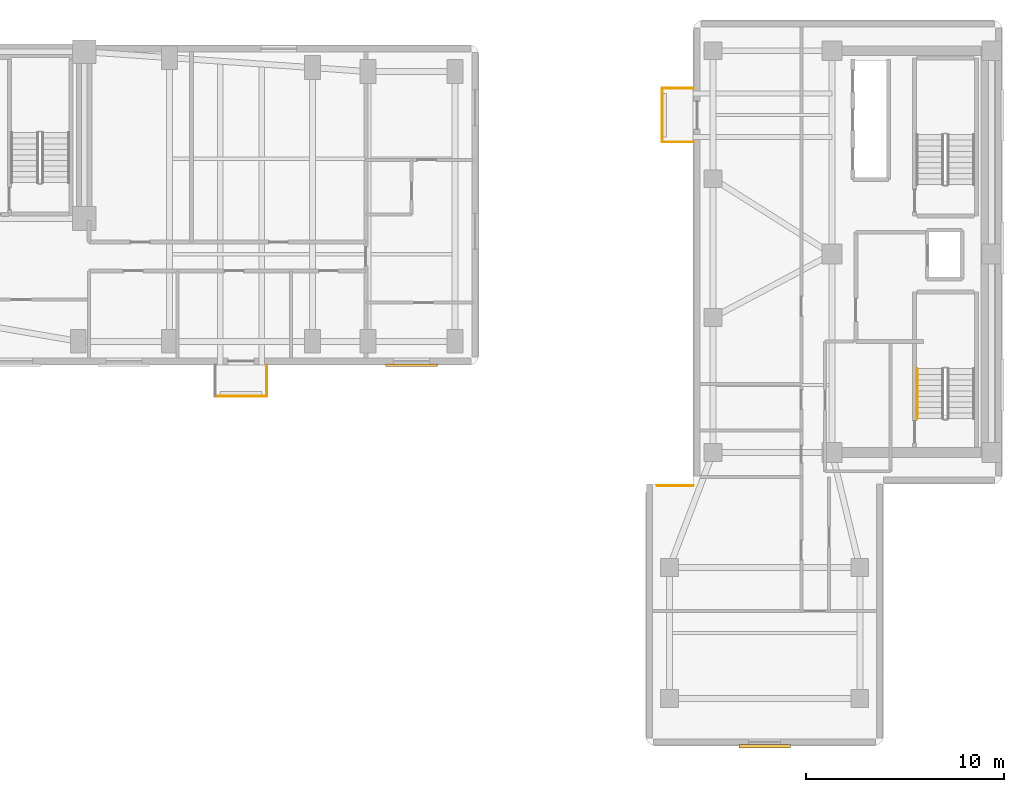
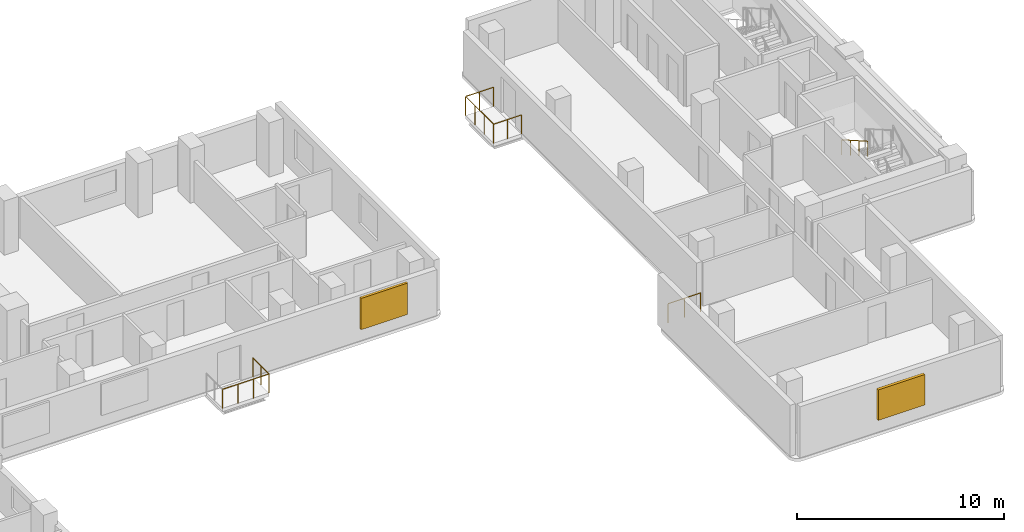
# One storey, part 10 of 11: 7 railings, 2 shading devices.
"""IFC4 building model written with IfcOpenShell, lengths in metres."""

from ifc_helpers import new_model, si_unit, direction, frame, origin, origin_2d, place, context, subcontext, project, spatial, rectangle, circle, extrude, material, layer, layer_set, type_object, element, save


model = new_model("IFC4")

# Units and contexts
model_context = context("Model", 3, precision=1e-05, world=origin(), true_north=direction((0.0, 1.0)))
body_context = subcontext(model_context, "Body", "Model", "MODEL_VIEW")
ifc_project = project(units=[si_unit("LENGTHUNIT", "METRE"), si_unit("AREAUNIT", "SQUARE_METRE"), si_unit("VOLUMEUNIT", "CUBIC_METRE"), si_unit("PLANEANGLEUNIT", "RADIAN"), si_unit("MASSUNIT", "GRAM", prefix="KILO")], contexts=[model_context])

# Site, building, storey
site_placement = place(None, origin())
site = spatial("IfcSite", under=ifc_project, at=site_placement, CompositionType="ELEMENT")
building_placement = place(site_placement, origin())
building = spatial("IfcBuilding", under=site, at=building_placement, Name="Kuzgunbayir Cultural Tower", CompositionType="ELEMENT")
storey_placement = place(building_placement, frame((0.0, 0.0, 83.39990234375)))
storey = spatial("IfcBuildingStorey", under=building, at=storey_placement, Name="L23", CompositionType="ELEMENT", Elevation=83.39990234375)

# Railings
ifc_material_1 = material(Name="Laminated Glass and Stainless Steel", Category="steel")
ifc_layer_1 = layer(ifc_material_1, 0.080078125)
ifc_layer_set_1 = layer_set([ifc_layer_1], Name="Laminated Glass and Stainless Steel")
railing_type_1 = type_object("IfcRailingType", Name="RLG-BAL-115", PredefinedType="BALUSTRADE", material=ifc_layer_set_1)
railing_1_placement = place(storey_placement, frame((33.5, 24.840087890625, 0.0)))
element("IfcRailing", 1, at=railing_1_placement, inside=storey, type_object=railing_type_1, Name="L23 Balcony Guard BAL-L23-WB2 Segment 2", PredefinedType="BALUSTRADE", context=body_context, shape_type="SweptSolid", body=[
    extrude(circle(Radius=0.02392578125, at=origin_2d()), frame((0.0, 0.0, 1.1259765625), z_axis=(1.0, 0.0, 0.0), x_axis=(0.0, 1.0, 0.0)), (0.0, 0.0, 1.0), 2.60009765625),
    extrude(circle(Radius=0.02099609375, at=origin_2d()), origin(), (0.0, 0.0, 1.0), 1.101806640625),
    extrude(circle(Radius=0.02099609375, at=origin_2d()), frame((0.86669921875, 0.0, 0.0)), (0.0, 0.0, 1.0), 1.101806640625),
    extrude(circle(Radius=0.02099609375, at=origin_2d()), frame((1.7333984375, 0.0, 0.0)), (0.0, 0.0, 1.0), 1.101806640625),
    extrude(circle(Radius=0.02099609375, at=origin_2d()), frame((2.60009765625, 0.0, 0.0)), (0.0, 0.0, 1.0), 1.101806640625),
])
railing_2_placement = place(storey_placement, frame((36.10009765625, 24.840087890625, 0.0)))
element("IfcRailing", 2, at=railing_2_placement, inside=storey, type_object=railing_type_1, Name="L23 Balcony Guard BAL-L23-WB2 Segment 3", PredefinedType="BALUSTRADE", context=body_context, shape_type="SweptSolid", body=[
    extrude(circle(Radius=0.02392578125, at=origin_2d()), frame((0.0, 0.0, 1.1259765625), z_axis=(0.0, 1.0, 0.0), x_axis=(-1.0, 0.0, 0.0)), (0.0, 0.0, 1.0), 1.559814453125),
    extrude(circle(Radius=0.02099609375, at=origin_2d()), origin(), (0.0, 0.0, 1.0), 1.101806640625),
    extrude(circle(Radius=0.02099609375, at=origin_2d()), frame((0.0, 0.77978515625, 0.0)), (0.0, 0.0, 1.0), 1.101806640625),
    extrude(circle(Radius=0.02099609375, at=origin_2d()), frame((0.0, 1.559814453125, 0.0)), (0.0, 0.0, 1.0), 1.101806640625),
])
railing_3_placement = place(storey_placement, frame((57.60009765625, 37.64990234375, 0.0)))
element("IfcRailing", 3, at=railing_3_placement, inside=storey, type_object=railing_type_1, Name="L23 Companion Balcony Guard BAL-L23-T2W3 Segment 1", PredefinedType="BALUSTRADE", context=body_context, shape_type="SweptSolid", body=[
    extrude(circle(Radius=0.02392578125, at=origin_2d()), frame((0.0, 0.0, 1.1259765625), z_axis=(-1.0, 0.0, 0.0), x_axis=(0.0, -1.0, 0.0)), (0.0, 0.0, 1.0), 1.56005859375),
    extrude(circle(Radius=0.02099609375, at=origin_2d()), origin(), (0.0, 0.0, 1.0), 1.101806640625),
    extrude(circle(Radius=0.02099609375, at=origin_2d()), frame((-0.780029296875, 0.0, 0.0)), (0.0, 0.0, 1.0), 1.101806640625),
    extrude(circle(Radius=0.02099609375, at=origin_2d()), frame((-1.56005859375, 0.0, 0.0)), (0.0, 0.0, 1.0), 1.101806640625),
])
railing_4_placement = place(storey_placement, frame((56.0400390625, 37.64990234375, 0.0)))
element("IfcRailing", 4, at=railing_4_placement, inside=storey, type_object=railing_type_1, Name="L23 Companion Balcony Guard BAL-L23-T2W3 Segment 2", PredefinedType="BALUSTRADE", context=body_context, shape_type="SweptSolid", body=[
    extrude(circle(Radius=0.02392578125, at=origin_2d()), frame((0.0, 0.0, 1.1259765625), z_axis=(0.0, 1.0, 0.0), x_axis=(-1.0, 0.0, 0.0)), (0.0, 0.0, 1.0), 2.7001953125),
    extrude(circle(Radius=0.02099609375, at=origin_2d()), origin(), (0.0, 0.0, 1.0), 1.101806640625),
    extrude(circle(Radius=0.02099609375, at=origin_2d()), frame((0.0, 0.900146484375, 0.0)), (0.0, 0.0, 1.0), 1.101806640625),
    extrude(circle(Radius=0.02099609375, at=origin_2d()), frame((0.0, 1.800048828125, 0.0)), (0.0, 0.0, 1.0), 1.101806640625),
    extrude(circle(Radius=0.02099609375, at=origin_2d()), frame((0.0, 2.7001953125, 0.0)), (0.0, 0.0, 1.0), 1.101806640625),
])
railing_5_placement = place(storey_placement, frame((56.0400390625, 40.35009765625, 0.0)))
element("IfcRailing", 5, at=railing_5_placement, inside=storey, type_object=railing_type_1, Name="L23 Companion Balcony Guard BAL-L23-T2W3 Segment 3", PredefinedType="BALUSTRADE", context=body_context, shape_type="SweptSolid", body=[
    extrude(circle(Radius=0.02392578125, at=origin_2d()), frame((0.0, 0.0, 1.1259765625), z_axis=(1.0, 0.0, 0.0), x_axis=(0.0, 1.0, 0.0)), (0.0, 0.0, 1.0), 1.56005859375),
    extrude(circle(Radius=0.02099609375, at=origin_2d()), origin(), (0.0, 0.0, 1.0), 1.101806640625),
    extrude(circle(Radius=0.02099609375, at=origin_2d()), frame((0.780029296875, 0.0, 0.0)), (0.0, 0.0, 1.0), 1.101806640625),
    extrude(circle(Radius=0.02099609375, at=origin_2d()), frame((1.56005859375, 0.0, 0.0)), (0.0, 0.0, 1.0), 1.101806640625),
])
railing_6_placement = place(storey_placement, frame((55.780029296875, 20.320068359375, 0.0)))
element("IfcRailing", 6, at=railing_6_placement, inside=storey, type_object=railing_type_1, Name="L23 Perimeter Edge Guard 1", PredefinedType="BALUSTRADE", context=body_context, shape_type="SweptSolid", body=[
    extrude(circle(Radius=0.02392578125, at=origin_2d()), frame((0.0, 0.0, 1.1259765625), z_axis=(1.0, 0.0, 0.0), x_axis=(0.0, 1.0, 0.0)), (0.0, 0.0, 1.0), 1.820068359375),
    extrude(circle(Radius=0.02099609375, at=origin_2d()), origin(), (0.0, 0.0, 1.0), 1.101806640625),
    extrude(circle(Radius=0.02099609375, at=origin_2d()), frame((0.91015625, 0.0, 0.0)), (0.0, 0.0, 1.0), 1.101806640625),
    extrude(circle(Radius=0.02099609375, at=origin_2d()), frame((1.820068359375, 0.0, 0.0)), (0.0, 0.0, 1.0), 1.101806640625),
])
ifc_material_2 = material(Name="Brushed Stainless Steel", Category="steel")
ifc_layer_2 = layer(ifc_material_2, 0.050048828125)
ifc_layer_set_2 = layer_set([ifc_layer_2], Name="Brushed Stainless Steel")
railing_type_2 = type_object("IfcRailingType", Name="RLG-STAIR-HANDRAIL", PredefinedType="HANDRAIL", material=ifc_layer_set_2)
railing_7_placement = place(storey_placement, frame((68.889892578125, 26.219970703125, 1.760009765625)))
element("IfcRailing", 7, at=railing_7_placement, inside=storey, type_object=railing_type_2, Name="L23 ST-3 stair handrail 2", PredefinedType="HANDRAIL", context=body_context, shape_type="SweptSolid", body=[
    extrude(circle(Radius=0.02392578125, at=origin_2d()), frame((0.0, 0.0, 0.8759765625), z_axis=(0.0, -0.868217259934, 0.496184229447), x_axis=(1.0, 0.0, 0.0)), (0.0, 0.0, 1.0), 2.902587890625),
    extrude(circle(Radius=0.02099609375, at=origin_2d()), origin(), (0.0, 0.0, 1.0), 0.851806640625),
    extrude(circle(Radius=0.02099609375, at=origin_2d()), frame((0.0, -0.840087890625, 0.47998046875)), (0.0, 0.0, 1.0), 0.851806640625),
    extrude(circle(Radius=0.02099609375, at=origin_2d()), frame((0.0, -1.679931640625, 0.960205078125)), (0.0, 0.0, 1.0), 0.851806640625),
    extrude(circle(Radius=0.02099609375, at=origin_2d()), frame((0.0, -2.52001953125, 1.440185546875)), (0.0, 0.0, 1.0), 0.851806640625),
])

# Shading devices
ifc_material_3 = material(Name="Perforated Bronze-Anodised Aluminium", Category="aluminium")
shading_device_type_1 = type_object("IfcShadingDeviceType", Name="SHD-SOLAR-BRONZE", PredefinedType="JALOUSIE", material=ifc_material_3)
shading_device_1_placement = place(storey_placement, frame((43.39990234375, 26.389892578125, 0.735107421875), z_axis=(0.0, 0.0, 1.0), x_axis=(1.0, 0.0, 0.0)))
element("IfcShadingDevice", 8, at=shading_device_1_placement, inside=storey, type_object=shading_device_type_1, Name="L23 Solar Screen WBS13", PredefinedType="JALOUSIE", context=body_context, shape_type="SweptSolid", body=[
    extrude(rectangle(XDim=2.60009765625, YDim=0.139892578125, at=origin_2d()), origin(), (0.0, 0.0, 1.0), 1.85009765625),
])
ifc_material_4 = material(Name="Warm Terracotta Ceramic Baguette", Category="masonry")
shading_device_type_2 = type_object("IfcShadingDeviceType", Name="SHD-SOLAR-CERAMIC", PredefinedType="SHUTTER", material=ifc_material_4)
shading_device_2_placement = place(storey_placement, frame((61.199951171875, 7.18994140625, 0.80029296875), z_axis=(0.0, 0.0, 1.0), x_axis=(1.0, 0.0, 0.0)))
element("IfcShadingDevice", 9, at=shading_device_2_placement, inside=storey, type_object=shading_device_type_2, Name="L23 Companion Ceramic Solar Screen S1", PredefinedType="SHUTTER", context=body_context, shape_type="SweptSolid", body=[
    extrude(rectangle(XDim=2.60009765625, YDim=0.159912109375, at=origin_2d()), origin(), (0.0, 0.0, 1.0), 1.800048828125),
])

save(model, "model.ifc")
